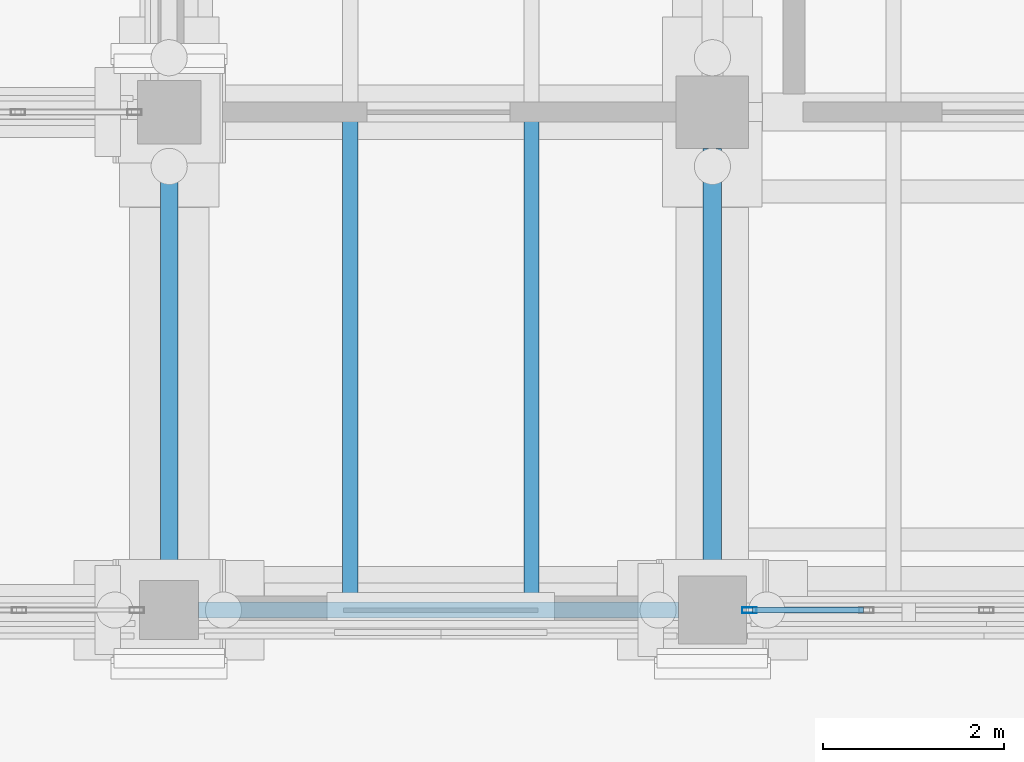
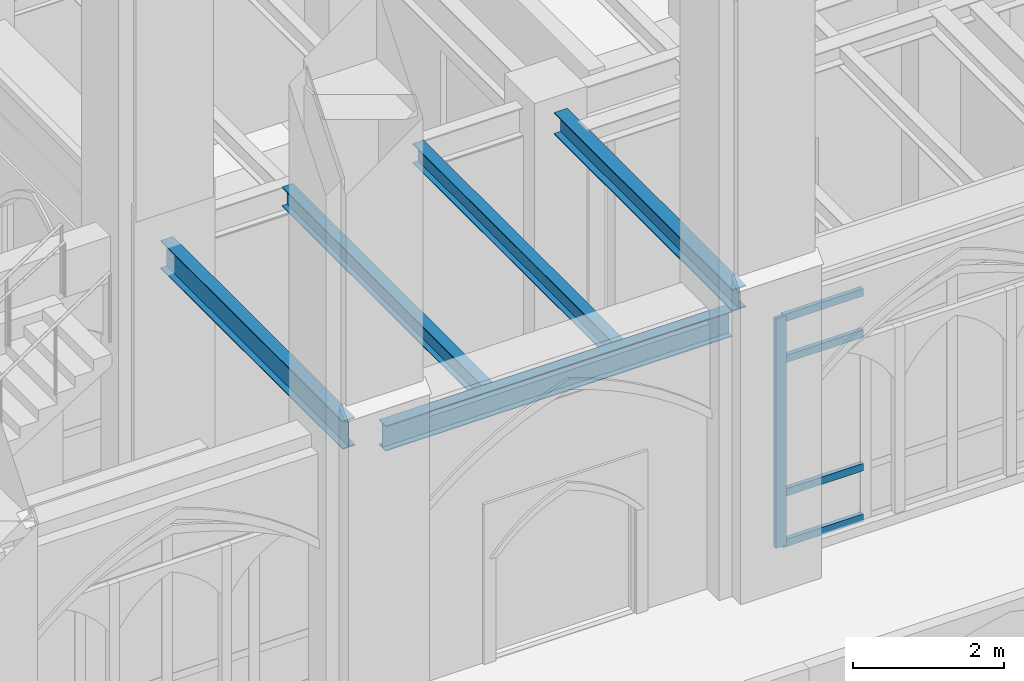
# One storey, part 28 of 135: 5 beams, 5 members, 1 element without a shape of its own.
"""IFC4 building model written with IfcOpenShell, lengths in metres."""

from ifc_helpers import new_model, si_unit, direction, frame, origin, origin_2d, place, context, subcontext, project, spatial, hollow_rectangle, i_section, extrude, material, layer, layer_set, material_profile, profile_set, type_object, element, aggregate, save


model = new_model("IFC4")

# Units and contexts
model_context = context("Model", 3, precision=1e-05, world=origin(), true_north=direction((0.0, 1.0)))
body_context = subcontext(model_context, "Body", "Model", "MODEL_VIEW")
ifc_project = project(units=[si_unit("LENGTHUNIT", "METRE"), si_unit("AREAUNIT", "SQUARE_METRE"), si_unit("VOLUMEUNIT", "CUBIC_METRE"), si_unit("PLANEANGLEUNIT", "RADIAN"), si_unit("MASSUNIT", "GRAM", prefix="KILO")], contexts=[model_context])

# Site, building, storey
site_placement = place(None, origin())
site = spatial("IfcSite", under=ifc_project, at=site_placement, CompositionType="ELEMENT")
building_placement = place(site_placement, origin())
building = spatial("IfcBuilding", under=site, at=building_placement, Name="Cumevento Cable Car Station", CompositionType="ELEMENT")
storey_placement = place(building_placement, origin())
storey = spatial("IfcBuildingStorey", under=building, at=storey_placement, Name="L01", CompositionType="ELEMENT", Elevation=0.0)

# Curtain wall, members
ifc_material_1 = material(Name="Anodised Bronze Aluminium AW-6063-T6", Category="aluminium")
ifc_layer = layer(ifc_material_1, 0.2080078125)
ifc_layer_set = layer_set([ifc_layer], Name="Anodised Bronze Aluminium AW-6063-T6")
curtain_wall_type = type_object("IfcCurtainWallType", Name="Lancet Curtain Wall CW-09 1370", PredefinedType="NOTDEFINED", material=ifc_layer_set)
curtain_wall_placement = place(storey_placement, origin())
curtain_wall = element("IfcCurtainWall", 1, at=curtain_wall_placement, inside=storey, type_object=curtain_wall_type, Name="Lancet Curtain Wall CW-09 L01 #8", PredefinedType="NOTDEFINED")
ifc_material_2 = material(Name="Anodised Bronze Aluminium AW-6063-T6", Category="aluminium")
ifc_material_profile_1 = material_profile(ifc_material_2, hollow_rectangle(XDim=0.06494140625, YDim=0.159912109375, WallThickness=0.00390625, at=origin_2d()), Name="ALUM65x160x4")
ifc_profile_set_1 = profile_set([ifc_material_profile_1], Name="Anodised Bronze Aluminium AW-6063-T6")
member_type_1 = type_object("IfcMemberType", Name="Curtain Mullion CWM-01 ALUM65x160x4", PredefinedType="MULLION", material=ifc_profile_set_1)
member_1_placement = place(storey_placement, frame((64.407470703125, 4.0, 0.159912109375), z_axis=(0.0, 0.0, 1.0), x_axis=(0.0, -1.0, 0.0)))
member_1 = element("IfcMember", 2, at=member_1_placement, type_object=member_type_1, Name="CW-09 mullion 5", PredefinedType="MULLION", context=body_context, shape_type="SweptSolid", body=[
    extrude(hollow_rectangle(XDim=0.06494140625, YDim=0.159912109375, WallThickness=0.00390625, at=origin_2d()), origin(), (0.0, 0.0, 1.0), 3.708984375),
])
ifc_material_3 = material(Name="Anodised Bronze Aluminium AW-6063-T6", Category="aluminium")
ifc_material_profile_2 = material_profile(ifc_material_3, hollow_rectangle(XDim=0.06494140625, YDim=0.1201171875, WallThickness=0.00390625, at=origin_2d()), Name="ALUT65x120x4")
ifc_profile_set_2 = profile_set([ifc_material_profile_2], Name="Anodised Bronze Aluminium AW-6063-T6")
member_type_2 = type_object("IfcMemberType", Name="Curtain Transom CWT-01 ALUT65x120x4", PredefinedType="USERDEFINED", material=ifc_profile_set_2)
member_2_placement = place(storey_placement, frame((65.66748046875, 4.0, 0.1923828125), z_axis=(-1.0, 0.0, 0.0), x_axis=(0.0, -1.0, 0.0)))
member_2 = element("IfcMember", 3, at=member_2_placement, type_object=member_type_2, Name="CW-09 transom 4.1", ObjectType="TRANSOM", PredefinedType="USERDEFINED", context=body_context, shape_type="SweptSolid", body=[
    extrude(hollow_rectangle(XDim=0.06494140625, YDim=0.1201171875, WallThickness=0.00390625, at=origin_2d()), origin(), (0.0, 0.0, 1.0), 1.2275390625),
])
member_3_placement = place(storey_placement, frame((65.66748046875, 4.0, 1.010009765625), z_axis=(-1.0, 0.0, 0.0), x_axis=(0.0, -1.0, 0.0)))
member_3 = element("IfcMember", 4, at=member_3_placement, type_object=member_type_2, Name="CW-09 transom 4.2", ObjectType="TRANSOM", PredefinedType="USERDEFINED", context=body_context, shape_type="SweptSolid", body=[
    extrude(hollow_rectangle(XDim=0.06494140625, YDim=0.1201171875, WallThickness=0.00390625, at=origin_2d()), origin(), (0.0, 0.0, 1.0), 1.2275390625),
])
member_4_placement = place(storey_placement, frame((65.66748046875, 4.0, 3.1689453125), z_axis=(-1.0, 0.0, 0.0), x_axis=(0.0, -1.0, 0.0)))
member_4 = element("IfcMember", 5, at=member_4_placement, type_object=member_type_2, Name="CW-09 transom 4.3", ObjectType="TRANSOM", PredefinedType="USERDEFINED", context=body_context, shape_type="SweptSolid", body=[
    extrude(hollow_rectangle(XDim=0.06494140625, YDim=0.1201171875, WallThickness=0.00390625, at=origin_2d()), origin(), (0.0, 0.0, 1.0), 1.2275390625),
])
member_5_placement = place(storey_placement, frame((65.66748046875, 4.0, 3.83642578125), z_axis=(-1.0, 0.0, 0.0), x_axis=(0.0, -1.0, 0.0)))
member_5 = element("IfcMember", 6, at=member_5_placement, type_object=member_type_2, Name="CW-09 transom 4.4", ObjectType="TRANSOM", PredefinedType="USERDEFINED", context=body_context, shape_type="SweptSolid", body=[
    extrude(hollow_rectangle(XDim=0.06494140625, YDim=0.1201171875, WallThickness=0.00390625, at=origin_2d()), origin(), (0.0, 0.0, 1.0), 1.2275390625),
])
aggregate(curtain_wall, [member_1, member_2, member_3, member_4, member_5])

# Beams
ifc_material_4 = material(Name="Steel ASTM A572 Grade 50", Category="steel")
ifc_material_profile_3 = material_profile(ifc_material_4, i_section(OverallWidth=0.18994140625, OverallDepth=0.45703125, WebThickness=0.009033203125, FlangeThickness=0.014404296875, at=origin_2d()), Name="W460x74.0")
ifc_profile_set_3 = profile_set([ifc_material_profile_3], Name="Steel ASTM A572 Grade 50")
beam_type_1 = type_object("IfcBeamType", Name="Structural Beam BM-04 W460x74.0", PredefinedType="BEAM", material=ifc_profile_set_3)
beam_1_placement = place(storey_placement, frame((58.0, 4.324951171875, 4.0234375), z_axis=(0.0, 1.0, 0.0), x_axis=(-1.0, 0.0, 0.0)))
element("IfcBeam", 7, at=beam_1_placement, inside=storey, type_object=beam_type_1, Name="Beam BM-04 L01 #35", PredefinedType="BEAM", context=body_context, shape_type="SweptSolid", body=[
    extrude(i_section(OverallWidth=0.18994140625, OverallDepth=0.45703125, WebThickness=0.009033203125, FlangeThickness=0.014404296875, at=origin_2d()), origin(), (0.0, 0.0, 1.0), 4.824951171875),
])
ifc_material_5 = material(Name="Steel ASTM A572 Grade 50", Category="steel")
ifc_material_profile_4 = material_profile(ifc_material_5, i_section(OverallWidth=0.205078125, OverallDepth=0.35400390625, WebThickness=0.009521484375, FlangeThickness=0.016845703125, at=origin_2d()), Name="W360x79.0")
ifc_profile_set_4 = profile_set([ifc_material_profile_4], Name="Steel ASTM A572 Grade 50")
beam_type_2 = type_object("IfcBeamType", Name="Structural Beam BM-05 W360x79.0", PredefinedType="BEAM", material=ifc_profile_set_4)
beam_2_placement = place(storey_placement, frame((64.0, 4.375, 4.074951171875), z_axis=(0.0, 1.0, 0.0), x_axis=(-1.0, 0.0, 0.0)))
element("IfcBeam", 8, at=beam_2_placement, inside=storey, type_object=beam_type_2, Name="Beam BM-05 L01 #36", PredefinedType="BEAM", context=body_context, shape_type="SweptSolid", body=[
    extrude(i_section(OverallWidth=0.205078125, OverallDepth=0.35400390625, WebThickness=0.009521484375, FlangeThickness=0.016845703125, at=origin_2d()), origin(), (0.0, 0.0, 1.0), 4.72509765625),
])
ifc_material_6 = material(Name="Steel ASTM A572 Grade 50", Category="steel")
ifc_material_profile_5 = material_profile(ifc_material_6, i_section(OverallWidth=0.1669921875, OverallDepth=0.31689453125, WebThickness=0.007568359375, FlangeThickness=0.01318359375, at=origin_2d()), Name="W310x52.0")
ifc_profile_set_5 = profile_set([ifc_material_profile_5], Name="Steel ASTM A572 Grade 50")
beam_type_3 = type_object("IfcBeamType", Name="Structural Joist JS-02 W310x52.0", PredefinedType="JOIST", material=ifc_profile_set_5)
for number, where, z_axis, x_axis, name in (
    (9, (60.0, 4.076904296875, 4.093505859375), (0.0, 1.0, 0.0), (-1.0, 0.0, 0.0), "Composite Floor Joist JS-02 L01 #319"),
    (10, (62.0, 4.076904296875, 4.093505859375), (0.0, 1.0, 0.0), (-1.0, 0.0, 0.0), "Composite Floor Joist JS-02 L01 #320"),
):
    element("IfcBeam", number, at=place(storey_placement, frame(where, z_axis=z_axis, x_axis=x_axis)), inside=storey, type_object=beam_type_3, Name=name, PredefinedType="JOIST", context=body_context, shape_type="SweptSolid", body=[
        extrude(i_section(OverallWidth=0.1669921875, OverallDepth=0.31689453125, WebThickness=0.007568359375, FlangeThickness=0.01318359375, at=origin_2d()), origin(), (0.0, 0.0, 1.0), 5.339111328125),
    ])
ifc_material_7 = material(Name="Steel ASTM A572 Grade 50", Category="steel")
ifc_material_profile_6 = material_profile(ifc_material_7, i_section(OverallWidth=0.177978515625, OverallDepth=0.406982421875, WebThickness=0.0078125, FlangeThickness=0.0126953125, at=origin_2d()), Name="W410x60.0")
ifc_profile_set_6 = profile_set([ifc_material_profile_6], Name="Steel ASTM A572 Grade 50")
beam_type_4 = type_object("IfcBeamType", Name="Structural Spandrel SP-01 W410x60.0", PredefinedType="SPANDREL", material=ifc_profile_set_6)
beam_3_placement = place(storey_placement, frame((58.324951171875, 4.0, 4.072509765625), z_axis=(1.0, 0.0, 0.0), x_axis=(0.0, 1.0, 0.0)))
element("IfcBeam", 11, at=beam_3_placement, inside=storey, type_object=beam_type_4, Name="Beam SP-01 L01 #25", PredefinedType="SPANDREL", context=body_context, shape_type="SweptSolid", body=[
    extrude(i_section(OverallWidth=0.177978515625, OverallDepth=0.406982421875, WebThickness=0.0078125, FlangeThickness=0.0126953125, at=origin_2d()), origin(), (0.0, 0.0, 1.0), 5.300048828125),
])

save(model, "model.ifc")
